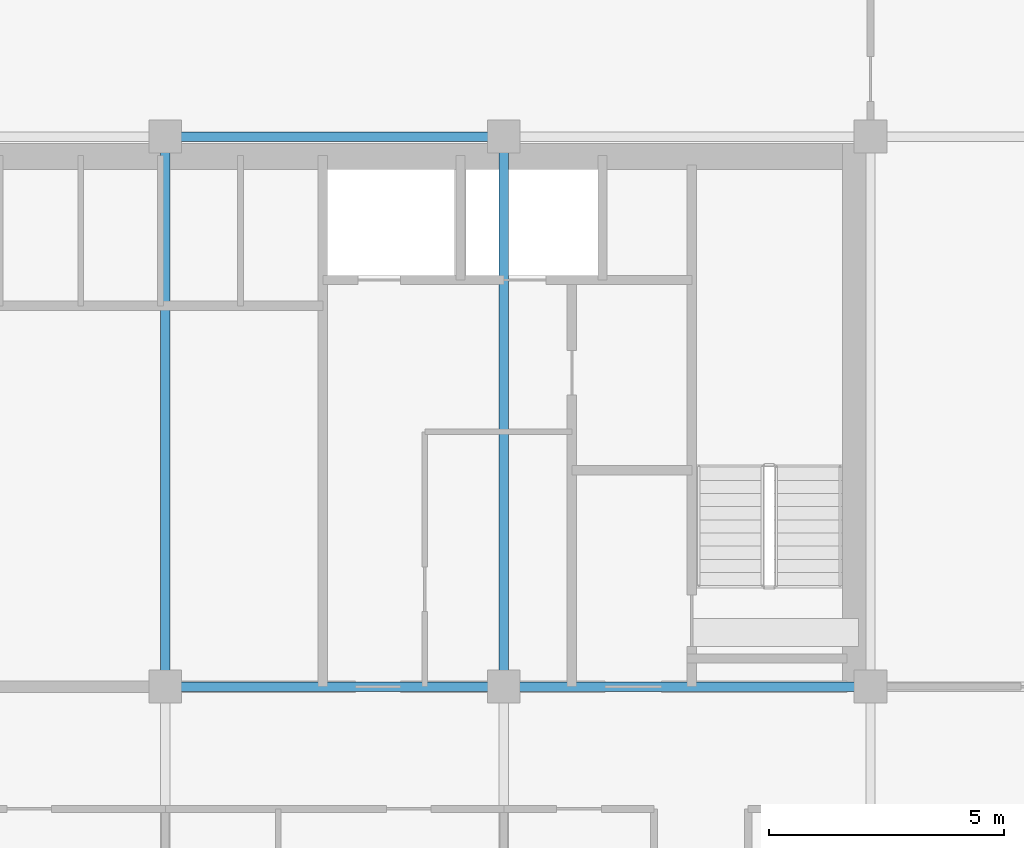
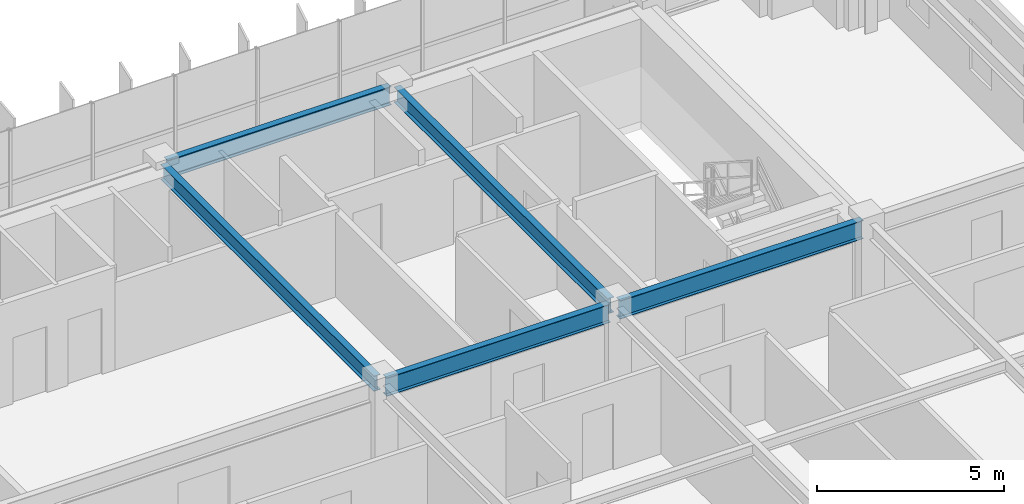
# One storey, part 11 of 24: 5 beams.
"""IFC4 building model written with IfcOpenShell, lengths in metres."""

from ifc_helpers import new_model, si_unit, direction, frame, origin, origin_2d, place, context, subcontext, project, spatial, i_section, extrude, source, transform, mapped, material, material_profile, profile_set, type_object, element, save


model = new_model("IFC4")

# Units and contexts
model_context = context("Model", 3, precision=1e-05, world=origin(), true_north=direction((0.0, 1.0)))
body_context = subcontext(model_context, "Body", "Model", "MODEL_VIEW")
ifc_project = project(units=[si_unit("LENGTHUNIT", "METRE"), si_unit("AREAUNIT", "SQUARE_METRE"), si_unit("VOLUMEUNIT", "CUBIC_METRE"), si_unit("PLANEANGLEUNIT", "RADIAN"), si_unit("MASSUNIT", "GRAM", prefix="KILO")], contexts=[model_context])

# Site, building, storey
site_placement = place(None, origin())
site = spatial("IfcSite", under=ifc_project, at=site_placement, CompositionType="ELEMENT")
building_placement = place(site_placement, origin())
building = spatial("IfcBuilding", under=site, at=building_placement, Name="Trelvane Seafront Commons", CompositionType="ELEMENT")
storey_placement = place(building_placement, frame((0.0, 0.0, 175.300048828125)))
storey = spatial("IfcBuildingStorey", under=building, at=storey_placement, Name="L46", CompositionType="ELEMENT", Elevation=175.300048828125)

# Beams
ifc_material = material(Name="Steel SM355 (S355)", Category="steel")
ifc_material_profile_1 = material_profile(ifc_material, i_section(OverallWidth=0.199951171875, OverallDepth=0.5, WebThickness=0.010009765625, FlangeThickness=0.01611328125, at=origin_2d()), Name="H-500x200x10x16")
ifc_profile_set_1 = profile_set([ifc_material_profile_1], Name="Steel SM355 (S355)")
beam_type_1 = type_object("IfcBeamType", Name="STR-BM-H500", PredefinedType="BEAM", material=ifc_profile_set_1)
shared_shape_1 = source(origin(), body_context, "Body", "SweptSolid", [
    extrude(i_section(OverallWidth=0.199951171875, OverallDepth=0.5, WebThickness=0.010009765625, FlangeThickness=0.01611328125, at=origin_2d()), origin(), (0.0, 0.0, 1.0), 11.39990234375),
])
for number, where, z_axis, x_axis, name in (
    (1, (43.800048828125, 33.550048828125, 3.099853515625), (0.0, 1.0, 0.0), (-1.0, 0.0, 0.0), "L46 Primary Girder G-43"),
    (2, (51.0, 33.550048828125, 3.099853515625), (0.0, 1.0, 0.0), (-1.0, 0.0, 0.0), "L46 Primary Girder G-46"),
):
    element("IfcBeam", number, at=place(storey_placement, frame(where, z_axis=z_axis, x_axis=x_axis)), inside=storey, type_object=beam_type_1, Name=name, PredefinedType="BEAM", context=body_context, shape_type="MappedRepresentation", body=[
        mapped(shared_shape_1, transform((0.0, 0.0, 0.0), x_axis=(1.0, 0.0, 0.0), y_axis=(0.0, 1.0, 0.0), z_axis=(0.0, 0.0, 1.0), scale=1.0)),
    ])
ifc_material_profile_2 = material_profile(ifc_material, i_section(OverallWidth=0.199951171875, OverallDepth=0.60009765625, WebThickness=0.010986328125, FlangeThickness=0.01708984375, at=origin_2d()), Name="H-600x200x11x17")
ifc_profile_set_2 = profile_set([ifc_material_profile_2], Name="Steel SM355 (S355)")
beam_type_2 = type_object("IfcBeamType", Name="STR-SPD-H600", PredefinedType="SPANDREL", material=ifc_profile_set_2)
shared_shape_2 = source(origin(), body_context, "Body", "SweptSolid", [
    extrude(i_section(OverallWidth=0.199951171875, OverallDepth=0.60009765625, WebThickness=0.010986328125, FlangeThickness=0.01708984375, at=origin_2d()), origin(), (0.0, 0.0, 1.0), 7.5),
])
beam_placement = place(storey_placement, frame((51.14990234375, 33.39990234375, 3.050048828125), z_axis=(1.0, 0.0, 0.0), x_axis=(0.0, 1.0, 0.0)))
element("IfcBeam", 3, at=beam_placement, inside=storey, type_object=beam_type_2, Name="L46 Primary Girder G-20", PredefinedType="SPANDREL", context=body_context, shape_type="MappedRepresentation", body=[
    mapped(shared_shape_2, transform((0.0, 0.0, 0.0), x_axis=(1.0, 0.0, 0.0), y_axis=(0.0, 1.0, 0.0), z_axis=(0.0, 0.0, 1.0), scale=1.0)),
])
shared_shape_3 = source(origin(), body_context, "Body", "SweptSolid", [
    extrude(i_section(OverallWidth=0.199951171875, OverallDepth=0.60009765625, WebThickness=0.010986328125, FlangeThickness=0.01708984375, at=origin_2d()), origin(), (0.0, 0.0, 1.0), 6.900146484375),
])
for number, where, z_axis, x_axis, name in (
    (4, (43.949951171875, 33.39990234375, 3.050048828125), (1.0, 0.0, 0.0), (0.0, 1.0, 0.0), "L46 Primary Girder G-19"),
    (5, (43.949951171875, 45.10009765625, 3.050048828125), (1.0, 0.0, 0.0), (0.0, 1.0, 0.0), "L46 Primary Girder G-26"),
):
    element("IfcBeam", number, at=place(storey_placement, frame(where, z_axis=z_axis, x_axis=x_axis)), inside=storey, type_object=beam_type_2, Name=name, PredefinedType="SPANDREL", context=body_context, shape_type="MappedRepresentation", body=[
        mapped(shared_shape_3, transform((0.0, 0.0, 0.0), x_axis=(1.0, 0.0, 0.0), y_axis=(0.0, 1.0, 0.0), z_axis=(0.0, 0.0, 1.0), scale=1.0)),
    ])

save(model, "model.ifc")
